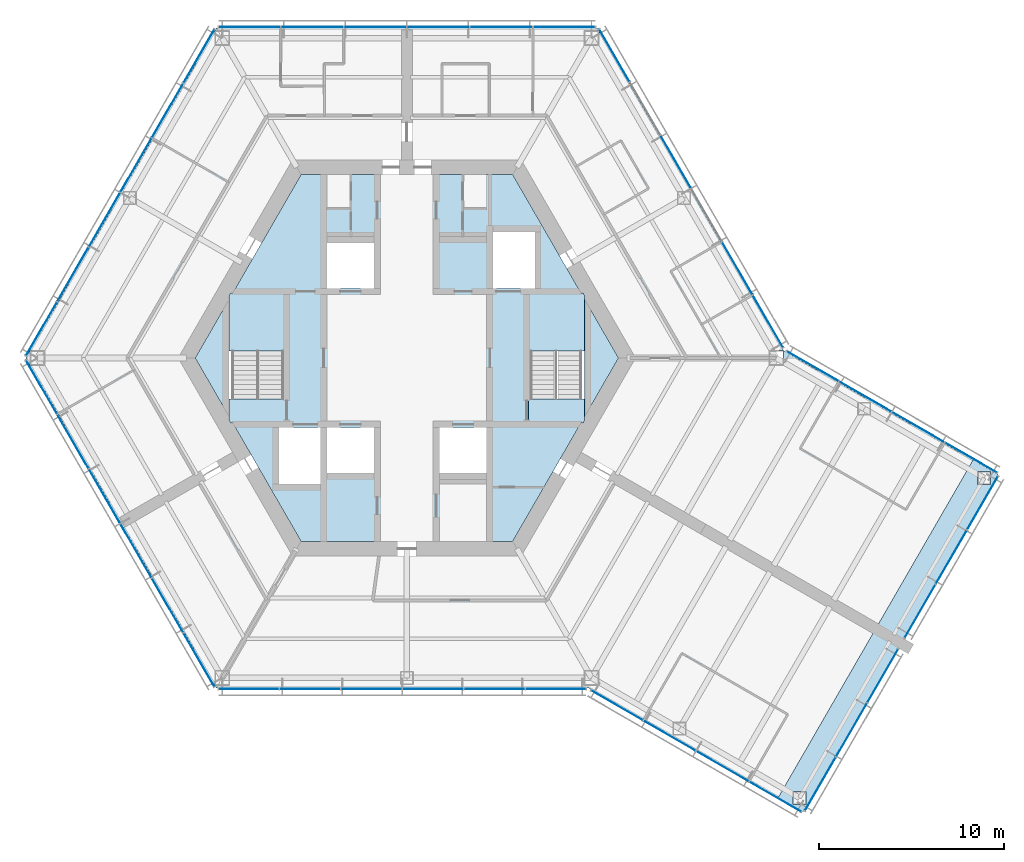
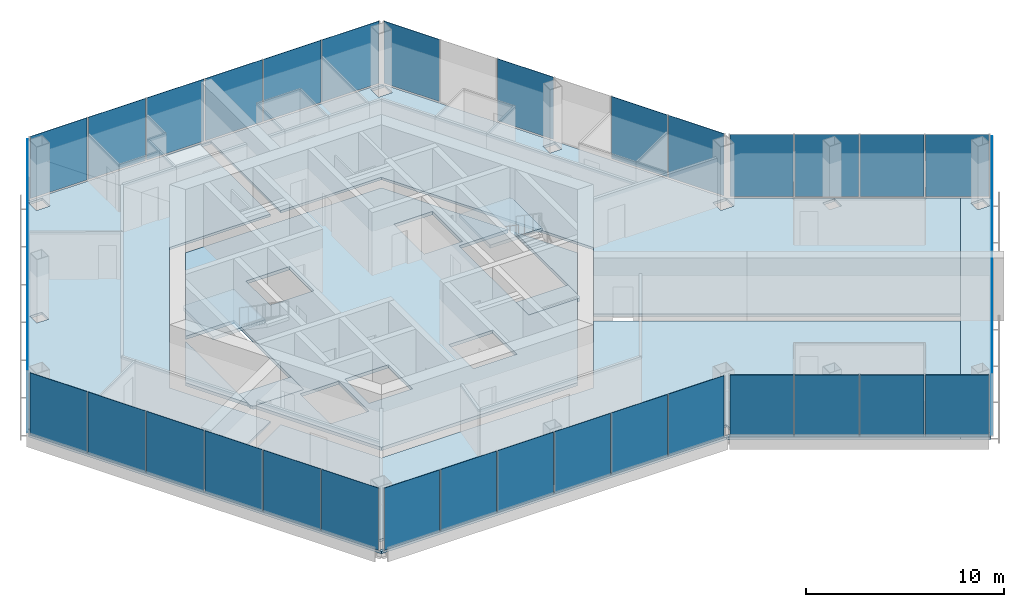
# One storey, part 8 of 15: 42 plates, 9 slabs, 11 elements without a shape of their own.
"""IFC4 building model written with IfcOpenShell, lengths in metres."""

from ifc_helpers import new_model, si_unit, direction, frame, origin, origin_2d, place, context, subcontext, project, spatial, polyline, rectangle, outline, extrude, material, layer, layer_set, type_object, element, aggregate, save


model = new_model("IFC4")

# Units and contexts
model_context = context("Model", 3, precision=1e-05, world=origin(), true_north=direction((0.0, 1.0)))
body_context = subcontext(model_context, "Body", "Model", "MODEL_VIEW")
ifc_project = project(units=[si_unit("LENGTHUNIT", "METRE"), si_unit("AREAUNIT", "SQUARE_METRE"), si_unit("VOLUMEUNIT", "CUBIC_METRE"), si_unit("PLANEANGLEUNIT", "RADIAN"), si_unit("MASSUNIT", "GRAM", prefix="KILO")], contexts=[model_context])

# Site, building, storey
site_placement = place(None, origin())
site = spatial("IfcSite", under=ifc_project, at=site_placement, CompositionType="ELEMENT")
building_placement = place(site_placement, origin())
building = spatial("IfcBuilding", under=site, at=building_placement, Name="Kasaneha Research Tower", CompositionType="ELEMENT")
storey_placement = place(building_placement, frame((0.0, 0.0, 220.60009765625)))
storey = spatial("IfcBuildingStorey", under=building, at=storey_placement, Name="L55", CompositionType="ELEMENT", Elevation=220.60009765625)

# Curtain wall, plates
ifc_material_1 = material(Name="Glass and aluminium", Category="aluminium")
curtain_wall_type = type_object("IfcCurtainWallType", Name="High-rise office curtain wall", PredefinedType="USERDEFINED", material=ifc_material_1)
curtain_wall_1_placement = place(storey_placement, origin())
curtain_wall_1 = element("IfcCurtainWall", 1, at=curtain_wall_1_placement, inside=storey, type_object=curtain_wall_type, Name="CW-O3 L55 run 01a", ObjectType="UNITISED CURTAIN WALL", PredefinedType="USERDEFINED")
ifc_material_2 = material(Name="Laminated double glazing", Category="glass")
ifc_layer_1 = layer(ifc_material_2, 0.02392578125)
ifc_layer_set_1 = layer_set([ifc_layer_1], Name="CW-O3 glazed panel")
plate_type = type_object("IfcPlateType", Name="CW-O3 glazed panel", PredefinedType="CURTAIN_PANEL", material=ifc_layer_set_1)
plate_1_placement = place(storey_placement, frame((19.549072265625, 1.981201171875, 0.06005859375), z_axis=(0.0, 0.0, 1.0), x_axis=(-0.499999979232, 0.866025415775, 0.0)))
plate_1 = element("IfcPlate", 2, at=plate_1_placement, type_object=plate_type, Name="CW-O3 panel 1", PredefinedType="CURTAIN_PANEL", context=body_context, shape_type="SweptSolid", body=[
    extrude(rectangle(XDim=3.240966796875, YDim=0.02392578125, at=origin_2d()), origin(), (0.0, 0.0, 1.0), 3.840087890625),
])
plate_2_placement = place(storey_placement, frame((17.89111328125, 4.852783203125, 0.06005859375), z_axis=(0.0, 0.0, 1.0), x_axis=(-0.499999979232, 0.866025415775, 0.0)))
plate_2 = element("IfcPlate", 3, at=plate_2_placement, type_object=plate_type, Name="CW-O3 panel 2", PredefinedType="CURTAIN_PANEL", context=body_context, shape_type="SweptSolid", body=[
    extrude(rectangle(XDim=3.27099609375, YDim=0.02392578125, at=origin_2d()), origin(), (0.0, 0.0, 1.0), 3.840087890625),
])
plate_3_placement = place(storey_placement, frame((14.56005859375, 10.622314453125, 0.06005859375), z_axis=(0.0, 0.0, 1.0), x_axis=(-0.499999979232, 0.866025415775, 0.0)))
plate_3 = element("IfcPlate", 4, at=plate_3_placement, type_object=plate_type, Name="CW-O3 panel 4", PredefinedType="CURTAIN_PANEL", context=body_context, shape_type="SweptSolid", body=[
    extrude(rectangle(XDim=3.27099609375, YDim=0.02392578125, at=origin_2d()), origin(), (0.0, 0.0, 1.0), 3.840087890625),
])
plate_4_placement = place(storey_placement, frame((11.236572265625, 16.378662109375, 0.06005859375), z_axis=(0.0, 0.0, 1.0), x_axis=(-0.499999979232, 0.866025415775, 0.0)))
plate_4 = element("IfcPlate", 5, at=plate_4_placement, type_object=plate_type, Name="CW-O3 panel 6", PredefinedType="CURTAIN_PANEL", context=body_context, shape_type="SweptSolid", body=[
    extrude(rectangle(XDim=3.240966796875, YDim=0.02392578125, at=origin_2d()), origin(), (0.0, 0.0, 1.0), 3.840087890625),
])
aggregate(curtain_wall_1, [plate_1, plate_2, plate_3, plate_4])

curtain_wall_2_placement = place(storey_placement, origin())
curtain_wall_2 = element("IfcCurtainWall", 6, at=curtain_wall_2_placement, inside=storey, type_object=curtain_wall_type, Name="CW-O3 L55 run 02a", ObjectType="UNITISED CURTAIN WALL", PredefinedType="USERDEFINED")
plate_5_placement = place(storey_placement, frame((8.523681640625, 17.92041015625, 0.06005859375), z_axis=(0.0, 0.0, 1.0), x_axis=(-1.0, 0.0, 0.0)))
plate_5 = element("IfcPlate", 7, at=plate_5_placement, type_object=plate_type, Name="CW-O3 panel 1", PredefinedType="CURTAIN_PANEL", context=body_context, shape_type="SweptSolid", body=[
    extrude(rectangle(XDim=3.325439453125, YDim=0.02392578125, at=origin_2d()), origin(), (0.0, 0.0, 1.0), 3.840087890625),
])
plate_6_placement = place(storey_placement, frame((5.123291015625, 17.92041015625, 0.06005859375), z_axis=(0.0, 0.0, 1.0), x_axis=(-1.0, 0.0, 0.0)))
plate_6 = element("IfcPlate", 8, at=plate_6_placement, type_object=plate_type, Name="CW-O3 panel 2", PredefinedType="CURTAIN_PANEL", context=body_context, shape_type="SweptSolid", body=[
    extrude(rectangle(XDim=3.35546875, YDim=0.02392578125, at=origin_2d()), origin(), (0.0, 0.0, 1.0), 3.840087890625),
])
plate_7_placement = place(storey_placement, frame((1.707763671875, 17.92041015625, 0.06005859375), z_axis=(0.0, 0.0, 1.0), x_axis=(-1.0, 0.0, 0.0)))
plate_7 = element("IfcPlate", 9, at=plate_7_placement, type_object=plate_type, Name="CW-O3 panel 3", PredefinedType="CURTAIN_PANEL", context=body_context, shape_type="SweptSolid", body=[
    extrude(rectangle(XDim=3.35546875, YDim=0.02392578125, at=origin_2d()), origin(), (0.0, 0.0, 1.0), 3.840087890625),
])
plate_8_placement = place(storey_placement, frame((-1.707763671875, 17.92041015625, 0.06005859375), z_axis=(0.0, 0.0, 1.0), x_axis=(-1.0, 0.0, 0.0)))
plate_8 = element("IfcPlate", 10, at=plate_8_placement, type_object=plate_type, Name="CW-O3 panel 4", PredefinedType="CURTAIN_PANEL", context=body_context, shape_type="SweptSolid", body=[
    extrude(rectangle(XDim=3.35546875, YDim=0.02392578125, at=origin_2d()), origin(), (0.0, 0.0, 1.0), 3.840087890625),
])
plate_9_placement = place(storey_placement, frame((-5.123291015625, 17.92041015625, 0.06005859375), z_axis=(0.0, 0.0, 1.0), x_axis=(-1.0, 0.0, 0.0)))
plate_9 = element("IfcPlate", 11, at=plate_9_placement, type_object=plate_type, Name="CW-O3 panel 5", PredefinedType="CURTAIN_PANEL", context=body_context, shape_type="SweptSolid", body=[
    extrude(rectangle(XDim=3.35546875, YDim=0.02392578125, at=origin_2d()), origin(), (0.0, 0.0, 1.0), 3.840087890625),
])
plate_10_placement = place(storey_placement, frame((-8.523681640625, 17.92041015625, 0.06005859375), z_axis=(0.0, 0.0, 1.0), x_axis=(-1.0, 0.0, 0.0)))
plate_10 = element("IfcPlate", 12, at=plate_10_placement, type_object=plate_type, Name="CW-O3 panel 6", PredefinedType="CURTAIN_PANEL", context=body_context, shape_type="SweptSolid", body=[
    extrude(rectangle(XDim=3.325439453125, YDim=0.02392578125, at=origin_2d()), origin(), (0.0, 0.0, 1.0), 3.840087890625),
])
aggregate(curtain_wall_2, [plate_5, plate_6, plate_7, plate_8, plate_9, plate_10])

curtain_wall_3_placement = place(storey_placement, origin())
curtain_wall_3 = element("IfcCurtainWall", 13, at=curtain_wall_3_placement, inside=storey, type_object=curtain_wall_type, Name="CW-O3 L55 run 03a", ObjectType="UNITISED CURTAIN WALL", PredefinedType="USERDEFINED")
plate_11_placement = place(storey_placement, frame((-11.2578125, 16.342041015625, 0.06005859375), z_axis=(0.0, 0.0, 1.0), x_axis=(-0.499999995722, -0.866025406254, 0.0)))
plate_11 = element("IfcPlate", 14, at=plate_11_placement, type_object=plate_type, Name="CW-O3 panel 1", PredefinedType="CURTAIN_PANEL", context=body_context, shape_type="SweptSolid", body=[
    extrude(rectangle(XDim=3.325439453125, YDim=0.02392578125, at=origin_2d()), origin(), (0.0, 0.0, 1.0), 3.840087890625),
])
plate_12_placement = place(storey_placement, frame((-12.9580078125, 13.39697265625, 0.06005859375), z_axis=(0.0, 0.0, 1.0), x_axis=(-0.499999995722, -0.866025406254, 0.0)))
plate_12 = element("IfcPlate", 15, at=plate_12_placement, type_object=plate_type, Name="CW-O3 panel 2", PredefinedType="CURTAIN_PANEL", context=body_context, shape_type="SweptSolid", body=[
    extrude(rectangle(XDim=3.35546875, YDim=0.02392578125, at=origin_2d()), origin(), (0.0, 0.0, 1.0), 3.840087890625),
])
plate_13_placement = place(storey_placement, frame((-14.665771484375, 10.439208984375, 0.06005859375), z_axis=(0.0, 0.0, 1.0), x_axis=(-0.499999995722, -0.866025406254, 0.0)))
plate_13 = element("IfcPlate", 16, at=plate_13_placement, type_object=plate_type, Name="CW-O3 panel 3", PredefinedType="CURTAIN_PANEL", context=body_context, shape_type="SweptSolid", body=[
    extrude(rectangle(XDim=3.35546875, YDim=0.02392578125, at=origin_2d()), origin(), (0.0, 0.0, 1.0), 3.840087890625),
])
plate_14_placement = place(storey_placement, frame((-16.37353515625, 7.481201171875, 0.06005859375), z_axis=(0.0, 0.0, 1.0), x_axis=(-0.499999995722, -0.866025406254, 0.0)))
plate_14 = element("IfcPlate", 17, at=plate_14_placement, type_object=plate_type, Name="CW-O3 panel 4", PredefinedType="CURTAIN_PANEL", context=body_context, shape_type="SweptSolid", body=[
    extrude(rectangle(XDim=3.35546875, YDim=0.02392578125, at=origin_2d()), origin(), (0.0, 0.0, 1.0), 3.840087890625),
])
plate_15_placement = place(storey_placement, frame((-18.081298828125, 4.5234375, 0.06005859375), z_axis=(0.0, 0.0, 1.0), x_axis=(-0.499999995722, -0.866025406254, 0.0)))
plate_15 = element("IfcPlate", 18, at=plate_15_placement, type_object=plate_type, Name="CW-O3 panel 5", PredefinedType="CURTAIN_PANEL", context=body_context, shape_type="SweptSolid", body=[
    extrude(rectangle(XDim=3.35546875, YDim=0.02392578125, at=origin_2d()), origin(), (0.0, 0.0, 1.0), 3.840087890625),
])
plate_16_placement = place(storey_placement, frame((-19.781494140625, 1.57861328125, 0.06005859375), z_axis=(0.0, 0.0, 1.0), x_axis=(-0.499999995722, -0.866025406254, 0.0)))
plate_16 = element("IfcPlate", 19, at=plate_16_placement, type_object=plate_type, Name="CW-O3 panel 6", PredefinedType="CURTAIN_PANEL", context=body_context, shape_type="SweptSolid", body=[
    extrude(rectangle(XDim=3.325439453125, YDim=0.02392578125, at=origin_2d()), origin(), (0.0, 0.0, 1.0), 3.840087890625),
])
aggregate(curtain_wall_3, [plate_11, plate_12, plate_13, plate_14, plate_15, plate_16])

curtain_wall_4_placement = place(storey_placement, origin())
curtain_wall_4 = element("IfcCurtainWall", 20, at=curtain_wall_4_placement, inside=storey, type_object=curtain_wall_type, Name="CW-O3 L55 run 04a", ObjectType="UNITISED CURTAIN WALL", PredefinedType="USERDEFINED")
plate_17_placement = place(storey_placement, frame((-19.781494140625, -1.57861328125, 0.06005859375), z_axis=(0.0, 0.0, 1.0), x_axis=(0.499999995722, -0.866025406254, 0.0)))
plate_17 = element("IfcPlate", 21, at=plate_17_placement, type_object=plate_type, Name="CW-O3 panel 1", PredefinedType="CURTAIN_PANEL", context=body_context, shape_type="SweptSolid", body=[
    extrude(rectangle(XDim=3.325439453125, YDim=0.02392578125, at=origin_2d()), origin(), (0.0, 0.0, 1.0), 3.840087890625),
])
plate_18_placement = place(storey_placement, frame((-18.081298828125, -4.5234375, 0.06005859375), z_axis=(0.0, 0.0, 1.0), x_axis=(0.499999995722, -0.866025406254, 0.0)))
plate_18 = element("IfcPlate", 22, at=plate_18_placement, type_object=plate_type, Name="CW-O3 panel 2", PredefinedType="CURTAIN_PANEL", context=body_context, shape_type="SweptSolid", body=[
    extrude(rectangle(XDim=3.35546875, YDim=0.02392578125, at=origin_2d()), origin(), (0.0, 0.0, 1.0), 3.840087890625),
])
plate_19_placement = place(storey_placement, frame((-16.37353515625, -7.481201171875, 0.06005859375), z_axis=(0.0, 0.0, 1.0), x_axis=(0.499999995722, -0.866025406254, 0.0)))
plate_19 = element("IfcPlate", 23, at=plate_19_placement, type_object=plate_type, Name="CW-O3 panel 3", PredefinedType="CURTAIN_PANEL", context=body_context, shape_type="SweptSolid", body=[
    extrude(rectangle(XDim=3.35546875, YDim=0.02392578125, at=origin_2d()), origin(), (0.0, 0.0, 1.0), 3.840087890625),
])
plate_20_placement = place(storey_placement, frame((-14.665771484375, -10.439208984375, 0.06005859375), z_axis=(0.0, 0.0, 1.0), x_axis=(0.499999995722, -0.866025406254, 0.0)))
plate_20 = element("IfcPlate", 24, at=plate_20_placement, type_object=plate_type, Name="CW-O3 panel 4", PredefinedType="CURTAIN_PANEL", context=body_context, shape_type="SweptSolid", body=[
    extrude(rectangle(XDim=3.35546875, YDim=0.02392578125, at=origin_2d()), origin(), (0.0, 0.0, 1.0), 3.840087890625),
])
plate_21_placement = place(storey_placement, frame((-12.9580078125, -13.39697265625, 0.06005859375), z_axis=(0.0, 0.0, 1.0), x_axis=(0.499999995722, -0.866025406254, 0.0)))
plate_21 = element("IfcPlate", 25, at=plate_21_placement, type_object=plate_type, Name="CW-O3 panel 5", PredefinedType="CURTAIN_PANEL", context=body_context, shape_type="SweptSolid", body=[
    extrude(rectangle(XDim=3.35546875, YDim=0.02392578125, at=origin_2d()), origin(), (0.0, 0.0, 1.0), 3.840087890625),
])
plate_22_placement = place(storey_placement, frame((-11.2578125, -16.342041015625, 0.06005859375), z_axis=(0.0, 0.0, 1.0), x_axis=(0.499999995722, -0.866025406254, 0.0)))
plate_22 = element("IfcPlate", 26, at=plate_22_placement, type_object=plate_type, Name="CW-O3 panel 6", PredefinedType="CURTAIN_PANEL", context=body_context, shape_type="SweptSolid", body=[
    extrude(rectangle(XDim=3.325439453125, YDim=0.02392578125, at=origin_2d()), origin(), (0.0, 0.0, 1.0), 3.840087890625),
])
aggregate(curtain_wall_4, [plate_17, plate_18, plate_19, plate_20, plate_21, plate_22])

curtain_wall_5_placement = place(storey_placement, origin())
curtain_wall_5 = element("IfcCurtainWall", 27, at=curtain_wall_5_placement, inside=storey, type_object=curtain_wall_type, Name="CW-O3 L55 run 05a", ObjectType="UNITISED CURTAIN WALL", PredefinedType="USERDEFINED")
plate_23_placement = place(storey_placement, frame((-8.56591796875, -17.92041015625, 0.06005859375), z_axis=(0.0, 0.0, 1.0), x_axis=(1.0, 0.0, 0.0)))
plate_23 = element("IfcPlate", 28, at=plate_23_placement, type_object=plate_type, Name="CW-O3 panel 1", PredefinedType="CURTAIN_PANEL", context=body_context, shape_type="SweptSolid", body=[
    extrude(rectangle(XDim=3.240966796875, YDim=0.02392578125, at=origin_2d()), origin(), (0.0, 0.0, 1.0), 3.840087890625),
])
plate_24_placement = place(storey_placement, frame((-5.25, -17.92041015625, 0.06005859375), z_axis=(0.0, 0.0, 1.0), x_axis=(1.0, 0.0, 0.0)))
plate_24 = element("IfcPlate", 29, at=plate_24_placement, type_object=plate_type, Name="CW-O3 panel 2", PredefinedType="CURTAIN_PANEL", context=body_context, shape_type="SweptSolid", body=[
    extrude(rectangle(XDim=3.27099609375, YDim=0.02392578125, at=origin_2d()), origin(), (0.0, 0.0, 1.0), 3.840087890625),
])
plate_25_placement = place(storey_placement, frame((-1.9189453125, -17.92041015625, 0.06005859375), z_axis=(0.0, 0.0, 1.0), x_axis=(1.0, 0.0, 0.0)))
plate_25 = element("IfcPlate", 30, at=plate_25_placement, type_object=plate_type, Name="CW-O3 panel 3", PredefinedType="CURTAIN_PANEL", context=body_context, shape_type="SweptSolid", body=[
    extrude(rectangle(XDim=3.27099609375, YDim=0.02392578125, at=origin_2d()), origin(), (0.0, 0.0, 1.0), 3.840087890625),
])
plate_26_placement = place(storey_placement, frame((1.411865234375, -17.92041015625, 0.06005859375), z_axis=(0.0, 0.0, 1.0), x_axis=(1.0, 0.0, 0.0)))
plate_26 = element("IfcPlate", 31, at=plate_26_placement, type_object=plate_type, Name="CW-O3 panel 4", PredefinedType="CURTAIN_PANEL", context=body_context, shape_type="SweptSolid", body=[
    extrude(rectangle(XDim=3.27099609375, YDim=0.02392578125, at=origin_2d()), origin(), (0.0, 0.0, 1.0), 3.840087890625),
])
plate_27_placement = place(storey_placement, frame((4.742919921875, -17.92041015625, 0.06005859375), z_axis=(0.0, 0.0, 1.0), x_axis=(1.0, 0.0, 0.0)))
plate_27 = element("IfcPlate", 32, at=plate_27_placement, type_object=plate_type, Name="CW-O3 panel 5", PredefinedType="CURTAIN_PANEL", context=body_context, shape_type="SweptSolid", body=[
    extrude(rectangle(XDim=3.27099609375, YDim=0.02392578125, at=origin_2d()), origin(), (0.0, 0.0, 1.0), 3.840087890625),
])
plate_28_placement = place(storey_placement, frame((8.058837890625, -17.92041015625, 0.06005859375), z_axis=(0.0, 0.0, 1.0), x_axis=(1.0, 0.0, 0.0)))
plate_28 = element("IfcPlate", 33, at=plate_28_placement, type_object=plate_type, Name="CW-O3 panel 6", PredefinedType="CURTAIN_PANEL", context=body_context, shape_type="SweptSolid", body=[
    extrude(rectangle(XDim=3.240966796875, YDim=0.02392578125, at=origin_2d()), origin(), (0.0, 0.0, 1.0), 3.840087890625),
])
aggregate(curtain_wall_5, [plate_23, plate_24, plate_25, plate_26, plate_27, plate_28])

curtain_wall_6_placement = place(storey_placement, origin())
curtain_wall_6 = element("IfcCurtainWall", 34, at=curtain_wall_6_placement, inside=storey, type_object=curtain_wall_type, Name="CW-O3 L55 run 06a", ObjectType="UNITISED CURTAIN WALL", PredefinedType="USERDEFINED")
plate_29_placement = place(storey_placement, frame((11.3720703125, -18.805419921875, 0.06005859375), z_axis=(0.0, 0.0, 1.0), x_axis=(0.866025411464, -0.499999986699, 0.0)))
plate_29 = element("IfcPlate", 35, at=plate_29_placement, type_object=plate_type, Name="CW-O3 panel 1", PredefinedType="CURTAIN_PANEL", context=body_context, shape_type="SweptSolid", body=[
    extrude(rectangle(XDim=3.2197265625, YDim=0.02392578125, at=origin_2d()), origin(), (0.0, 0.0, 1.0), 3.840087890625),
])
plate_30_placement = place(storey_placement, frame((14.225341796875, -20.452880859375, 0.06005859375), z_axis=(0.0, 0.0, 1.0), x_axis=(0.866025411464, -0.499999986699, 0.0)))
plate_30 = element("IfcPlate", 36, at=plate_30_placement, type_object=plate_type, Name="CW-O3 panel 2", PredefinedType="CURTAIN_PANEL", context=body_context, shape_type="SweptSolid", body=[
    extrude(rectangle(XDim=3.249755859375, YDim=0.02392578125, at=origin_2d()), origin(), (0.0, 0.0, 1.0), 3.840087890625),
])
plate_31_placement = place(storey_placement, frame((17.091796875, -22.107666015625, 0.06005859375), z_axis=(0.0, 0.0, 1.0), x_axis=(0.866025411464, -0.499999986699, 0.0)))
plate_31 = element("IfcPlate", 37, at=plate_31_placement, type_object=plate_type, Name="CW-O3 panel 3", PredefinedType="CURTAIN_PANEL", context=body_context, shape_type="SweptSolid", body=[
    extrude(rectangle(XDim=3.249755859375, YDim=0.02392578125, at=origin_2d()), origin(), (0.0, 0.0, 1.0), 3.840087890625),
])
plate_32_placement = place(storey_placement, frame((19.945068359375, -23.755126953125, 0.06005859375), z_axis=(0.0, 0.0, 1.0), x_axis=(0.866025411464, -0.499999986699, 0.0)))
plate_32 = element("IfcPlate", 38, at=plate_32_placement, type_object=plate_type, Name="CW-O3 panel 4", PredefinedType="CURTAIN_PANEL", context=body_context, shape_type="SweptSolid", body=[
    extrude(rectangle(XDim=3.2197265625, YDim=0.02392578125, at=origin_2d()), origin(), (0.0, 0.0, 1.0), 3.840087890625),
])
aggregate(curtain_wall_6, [plate_29, plate_30, plate_31, plate_32])

curtain_wall_7_placement = place(storey_placement, origin())
curtain_wall_7 = element("IfcCurtainWall", 39, at=curtain_wall_7_placement, inside=storey, type_object=curtain_wall_type, Name="CW-O3 L55 run 07a", ObjectType="UNITISED CURTAIN WALL", PredefinedType="USERDEFINED")
plate_33_placement = place(storey_placement, frame((22.385498046875, -23.068359375, 0.06005859375), z_axis=(0.0, 0.0, 1.0), x_axis=(0.500000011442, 0.866025397178, 0.0)))
plate_33 = element("IfcPlate", 40, at=plate_33_placement, type_object=plate_type, Name="CW-O3 panel 1", PredefinedType="CURTAIN_PANEL", context=body_context, shape_type="SweptSolid", body=[
    extrude(rectangle(XDim=3.31005859375, YDim=0.02392578125, at=origin_2d()), origin(), (0.0, 0.0, 1.0), 3.840087890625),
])
plate_34_placement = place(storey_placement, frame((24.077880859375, -20.13671875, 0.06005859375), z_axis=(0.0, 0.0, 1.0), x_axis=(0.500000011442, 0.866025397178, 0.0)))
plate_34 = element("IfcPlate", 41, at=plate_34_placement, type_object=plate_type, Name="CW-O3 panel 2", PredefinedType="CURTAIN_PANEL", context=body_context, shape_type="SweptSolid", body=[
    extrude(rectangle(XDim=3.340087890625, YDim=0.02392578125, at=origin_2d()), origin(), (0.0, 0.0, 1.0), 3.840087890625),
])
plate_35_placement = place(storey_placement, frame((25.7705078125, -17.205322265625, 0.06005859375), z_axis=(0.0, 0.0, 1.0), x_axis=(0.500000011442, 0.866025397178, 0.0)))
plate_35 = element("IfcPlate", 42, at=plate_35_placement, type_object=plate_type, Name="CW-O3 panel 3", PredefinedType="CURTAIN_PANEL", context=body_context, shape_type="SweptSolid", body=[
    extrude(rectangle(XDim=3.31005859375, YDim=0.02392578125, at=origin_2d()), origin(), (0.0, 0.0, 1.0), 3.840087890625),
])
aggregate(curtain_wall_7, [plate_33, plate_34, plate_35])

curtain_wall_8_placement = place(storey_placement, origin())
curtain_wall_8 = element("IfcCurtainWall", 43, at=curtain_wall_8_placement, inside=storey, type_object=curtain_wall_type, Name="CW-O3 L55 run 08a", ObjectType="UNITISED CURTAIN WALL", PredefinedType="USERDEFINED")
plate_36_placement = place(storey_placement, frame((27.785400390625, -13.71533203125, 0.06005859375), z_axis=(0.0, 0.0, 1.0), x_axis=(0.500000011442, 0.866025397178, 0.0)))
plate_36 = element("IfcPlate", 44, at=plate_36_placement, type_object=plate_type, Name="CW-O3 panel 1", PredefinedType="CURTAIN_PANEL", context=body_context, shape_type="SweptSolid", body=[
    extrude(rectangle(XDim=3.31005859375, YDim=0.02392578125, at=origin_2d()), origin(), (0.0, 0.0, 1.0), 3.840087890625),
])
plate_37_placement = place(storey_placement, frame((29.47802734375, -10.78369140625, 0.06005859375), z_axis=(0.0, 0.0, 1.0), x_axis=(0.500000011442, 0.866025397178, 0.0)))
plate_37 = element("IfcPlate", 45, at=plate_37_placement, type_object=plate_type, Name="CW-O3 panel 2", PredefinedType="CURTAIN_PANEL", context=body_context, shape_type="SweptSolid", body=[
    extrude(rectangle(XDim=3.340087890625, YDim=0.02392578125, at=origin_2d()), origin(), (0.0, 0.0, 1.0), 3.840087890625),
])
plate_38_placement = place(storey_placement, frame((31.17041015625, -7.852294921875, 0.06005859375), z_axis=(0.0, 0.0, 1.0), x_axis=(0.500000011442, 0.866025397178, 0.0)))
plate_38 = element("IfcPlate", 46, at=plate_38_placement, type_object=plate_type, Name="CW-O3 panel 3", PredefinedType="CURTAIN_PANEL", context=body_context, shape_type="SweptSolid", body=[
    extrude(rectangle(XDim=3.31005859375, YDim=0.02392578125, at=origin_2d()), origin(), (0.0, 0.0, 1.0), 3.840087890625),
])
aggregate(curtain_wall_8, [plate_36, plate_37, plate_38])

curtain_wall_9_placement = place(storey_placement, origin())
curtain_wall_9 = element("IfcCurtainWall", 47, at=curtain_wall_9_placement, inside=storey, type_object=curtain_wall_type, Name="CW-O3 L55 run 09a", ObjectType="UNITISED CURTAIN WALL", PredefinedType="USERDEFINED")
plate_39_placement = place(storey_placement, frame((30.545166015625, -5.3955078125, 0.06005859375), z_axis=(0.0, 0.0, 1.0), x_axis=(-0.866025411464, 0.499999986699, 0.0)))
plate_39 = element("IfcPlate", 48, at=plate_39_placement, type_object=plate_type, Name="CW-O3 panel 1", PredefinedType="CURTAIN_PANEL", context=body_context, shape_type="SweptSolid", body=[
    extrude(rectangle(XDim=3.2197265625, YDim=0.02392578125, at=origin_2d()), origin(), (0.0, 0.0, 1.0), 3.840087890625),
])
plate_40_placement = place(storey_placement, frame((27.69189453125, -3.748046875, 0.06005859375), z_axis=(0.0, 0.0, 1.0), x_axis=(-0.866025411464, 0.499999986699, 0.0)))
plate_40 = element("IfcPlate", 49, at=plate_40_placement, type_object=plate_type, Name="CW-O3 panel 2", PredefinedType="CURTAIN_PANEL", context=body_context, shape_type="SweptSolid", body=[
    extrude(rectangle(XDim=3.249755859375, YDim=0.02392578125, at=origin_2d()), origin(), (0.0, 0.0, 1.0), 3.840087890625),
])
plate_41_placement = place(storey_placement, frame((24.825439453125, -2.093017578125, 0.06005859375), z_axis=(0.0, 0.0, 1.0), x_axis=(-0.866025411464, 0.499999986699, 0.0)))
plate_41 = element("IfcPlate", 50, at=plate_41_placement, type_object=plate_type, Name="CW-O3 panel 3", PredefinedType="CURTAIN_PANEL", context=body_context, shape_type="SweptSolid", body=[
    extrude(rectangle(XDim=3.249755859375, YDim=0.02392578125, at=origin_2d()), origin(), (0.0, 0.0, 1.0), 3.840087890625),
])
plate_42_placement = place(storey_placement, frame((21.971923828125, -0.44580078125, 0.06005859375), z_axis=(0.0, 0.0, 1.0), x_axis=(-0.866025411464, 0.499999986699, 0.0)))
plate_42 = element("IfcPlate", 51, at=plate_42_placement, type_object=plate_type, Name="CW-O3 panel 4", PredefinedType="CURTAIN_PANEL", context=body_context, shape_type="SweptSolid", body=[
    extrude(rectangle(XDim=3.2197265625, YDim=0.02392578125, at=origin_2d()), origin(), (0.0, 0.0, 1.0), 3.840087890625),
])
aggregate(curtain_wall_9, [plate_39, plate_40, plate_41, plate_42])

# Slabs
ifc_material_3 = material(Name="Concrete Fc24", Category="concrete")
ifc_layer_2 = layer(ifc_material_3, 0.199951171875)
ifc_layer_set_2 = layer_set([ifc_layer_2], Name="Core floor slab 200")
slab_type_1 = type_object("IfcSlabType", Name="Core floor slab 200", PredefinedType="FLOOR", material=ifc_layer_set_2)
slab_1_placement = place(storey_placement, frame((0.0, 0.0, -0.2001953125)))
element("IfcSlab", 52, at=slab_1_placement, inside=storey, type_object=slab_type_1, Name="Core slab L55", PredefinedType="FLOOR", context=body_context, shape_type="SweptSolid", body=[
    extrude(outline(polyline([(-11.46044921875, 0.0), (-9.625, 3.178955078125), (-9.625, -3.178955078125), (-11.46044921875, 0.0)])), origin(), (0.0, 0.0, 1.0), 0.2001953125),
])
slab_2_placement = place(storey_placement, frame((0.0, 0.0, -0.2001953125)))
element("IfcSlab", 53, at=slab_2_placement, inside=storey, type_object=slab_type_1, Name="Core slab L55", PredefinedType="FLOOR", context=body_context, shape_type="SweptSolid", body=[
    extrude(outline(polyline([(-5.730224609375, 9.925048828125), (5.730224609375, 9.925048828125), (9.42529296875, 3.52490234375), (6.574951171875, 3.52490234375), (6.574951171875, -3.52490234375), (9.42529296875, -3.52490234375), (5.730224609375, -9.925048828125), (-5.730224609375, -9.925048828125), (-9.42529296875, -3.52490234375), (-6.574951171875, -3.52490234375), (-6.574951171875, 3.52490234375), (-9.42529296875, 3.52490234375), (-5.730224609375, 9.925048828125)]), holes=[polyline([(-6.925048828125, -6.824951171875), (-4.675048828125, -6.824951171875), (-4.675048828125, -3.77490234375), (-6.925048828125, -3.77490234375), (-6.925048828125, -6.824951171875)]), polyline([(-4.324951171875, -3.77490234375), (-4.324951171875, -6.22509765625), (-1.77490234375, -6.22509765625), (-1.77490234375, -3.77490234375), (-4.324951171875, -3.77490234375)]), polyline([(1.77490234375, -3.77490234375), (1.77490234375, -6.22509765625), (4.324951171875, -6.22509765625), (4.324951171875, -3.77490234375), (1.77490234375, -3.77490234375)]), polyline([(-4.324951171875, 6.22509765625), (-4.324951171875, 3.77490234375), (-1.77490234375, 3.77490234375), (-1.77490234375, 6.22509765625), (-4.324951171875, 6.22509765625)]), polyline([(4.675048828125, 6.824951171875), (4.675048828125, 3.77490234375), (6.925048828125, 3.77490234375), (6.925048828125, 6.824951171875), (4.675048828125, 6.824951171875)])]), origin(), (0.0, 0.0, 1.0), 0.2001953125),
])
slab_3_placement = place(storey_placement, frame((0.0, 0.0, -0.2001953125)))
element("IfcSlab", 54, at=slab_3_placement, inside=storey, type_object=slab_type_1, Name="Core slab L55", PredefinedType="FLOOR", context=body_context, shape_type="SweptSolid", body=[
    extrude(outline(polyline([(11.46044921875, 0.0), (9.625, -3.178955078125), (9.625, 3.178955078125), (11.46044921875, 0.0)])), origin(), (0.0, 0.0, 1.0), 0.2001953125),
])
ifc_material_4 = material(Name="Concrete Fc24", Category="concrete")
ifc_layer_3 = layer(ifc_material_4, 0.14990234375)
ifc_layer_set_3 = layer_set([ifc_layer_3], Name="Floor slab 150")
slab_type_2 = type_object("IfcSlabType", Name="Floor slab 150", PredefinedType="FLOOR", material=ifc_layer_set_3)
slab_4_placement = place(storey_placement, frame((0.0, 0.0, -0.150146484375)))
element("IfcSlab", 55, at=slab_4_placement, inside=storey, type_object=slab_type_2, Name="Floor slab L55 1", PredefinedType="FLOOR", context=body_context, shape_type="SweptSolid", body=[
    extrude(outline(polyline([(-10.317626953125, -17.87060546875), (-10.3974609375, -17.732177734375), (-10.385986328125, -17.720703125), (-9.599853515625, -17.720703125), (-9.599853515625, -16.92041015625), (-10.400146484375, -16.92041015625), (-10.400146484375, -17.70654296875), (-10.40771484375, -17.714111328125), (-20.635009765625, 0.0), (-20.40771484375, 0.3935546875), (-20.400146484375, 0.385986328125), (-20.400146484375, -0.400146484375), (-19.599853515625, -0.400146484375), (-19.599853515625, 0.400146484375), (-20.385986328125, 0.400146484375), (-20.3974609375, 0.41162109375), (-10.40771484375, 17.714111328125), (-10.400146484375, 17.70654296875), (-10.400146484375, 16.92041015625), (-9.599853515625, 16.92041015625), (-9.599853515625, 17.720703125), (-10.385986328125, 17.720703125), (-10.3974609375, 17.732177734375), (-10.317626953125, 17.87060546875), (10.317626953125, 17.87060546875), (10.3974609375, 17.732177734375), (10.385986328125, 17.720703125), (9.599853515625, 17.720703125), (9.599853515625, 16.92041015625), (10.400146484375, 16.92041015625), (10.400146484375, 17.70654296875), (10.40771484375, 17.714111328125), (20.3974609375, 0.41162109375), (20.385986328125, 0.400146484375), (19.599853515625, 0.400146484375), (19.599853515625, -0.400146484375), (20.400146484375, -0.400146484375), (20.400146484375, 0.385986328125), (20.41162109375, 0.3974609375), (30.65869140625, -5.518798828125), (25.53369140625, -14.3955078125), (9.438232421875, -5.102783203125), (12.38427734375, 0.0), (6.192138671875, 10.72509765625), (0.300048828125, 10.72509765625), (0.300048828125, 17.7705078125), (-0.300048828125, 17.7705078125), (-0.300048828125, 10.72509765625), (-6.192138671875, 10.72509765625), (-12.38427734375, 0.0), (-9.438232421875, -5.102783203125), (-15.539794921875, -8.62548828125), (-15.23974609375, -9.14501953125), (-9.13818359375, -5.622314453125), (-6.192138671875, -10.72509765625), (6.192138671875, -10.72509765625), (9.13818359375, -5.622314453125), (25.233642578125, -14.9150390625), (20.108642578125, -23.791748046875), (9.8525390625, -17.87060546875), (-10.317626953125, -17.87060546875)]), holes=[polyline([(-0.35009765625, -17.67041015625), (0.35009765625, -17.67041015625), (0.35009765625, -16.970458984375), (-0.35009765625, -16.970458984375), (-0.35009765625, -17.67041015625)]), polyline([(-15.35009765625, 8.310302734375), (-14.64990234375, 8.310302734375), (-14.64990234375, 9.01025390625), (-15.35009765625, 9.01025390625), (-15.35009765625, 8.310302734375)]), polyline([(14.4130859375, -20.42041015625), (15.113037109375, -20.42041015625), (15.113037109375, -19.720458984375), (14.4130859375, -19.720458984375), (14.4130859375, -20.42041015625)]), polyline([(9.60009765625, -17.720458984375), (10.39990234375, -17.720458984375), (10.39990234375, -16.92041015625), (9.60009765625, -16.92041015625), (9.60009765625, -17.720458984375)]), polyline([(24.4130859375, -3.10009765625), (25.113037109375, -3.10009765625), (25.113037109375, -2.39990234375), (24.4130859375, -2.39990234375), (24.4130859375, -3.10009765625)]), polyline([(14.64990234375, 9.01025390625), (14.64990234375, 8.310302734375), (15.35009765625, 8.310302734375), (15.35009765625, 9.01025390625), (14.64990234375, 9.01025390625)])]), origin(), (0.0, 0.0, 1.0), 0.150146484375),
])
slab_5_placement = place(storey_placement, frame((0.0, 0.0, -0.150146484375)))
element("IfcSlab", 56, at=slab_5_placement, inside=storey, type_object=slab_type_2, Name="Floor slab L55 2", PredefinedType="FLOOR", context=body_context, shape_type="SweptSolid", body=[
    extrude(outline(polyline([(32.009521484375, -6.298583984375), (21.459716796875, -24.57177734375), (20.108642578125, -23.791748046875), (25.233642578125, -14.9150390625), (25.2421875, -14.920166015625), (25.542236328125, -14.400390625), (25.53369140625, -14.3955078125), (30.65869140625, -5.518798828125), (32.009521484375, -6.298583984375)]), holes=[polyline([(20.908447265625, -24.17041015625), (21.6083984375, -24.17041015625), (21.6083984375, -23.470458984375), (20.908447265625, -23.470458984375), (20.908447265625, -24.17041015625)]), polyline([(30.908447265625, -6.85009765625), (31.6083984375, -6.85009765625), (31.6083984375, -6.14990234375), (30.908447265625, -6.14990234375), (30.908447265625, -6.85009765625)])]), origin(), (0.0, 0.0, 1.0), 0.150146484375),
])

# Stair, slabs
ifc_material_5 = material(Name="Concrete Fc24", Category="concrete")
stair_type = type_object("IfcStairType", Name="Half-turn stair 22 risers", PredefinedType="HALF_TURN_STAIR", material=ifc_material_5)
stair_1_placement = place(storey_placement, origin())
stair_1 = element("IfcStair", 57, at=stair_1_placement, inside=storey, type_object=stair_type, Name="Stair 1 L55", PredefinedType="HALF_TURN_STAIR")
ifc_material_6 = material(Name="Concrete Fc24", Category="concrete")
ifc_layer_4 = layer(ifc_material_6, 0.199951171875)
ifc_layer_set_4 = layer_set([ifc_layer_4], Name="Stair 1 landing 200")
slab_type_3 = type_object("IfcSlabType", Name="Stair 1 landing 200", PredefinedType="LANDING", material=ifc_layer_set_4)
slab_6_placement = place(storey_placement, frame((0.0, 0.0, -0.2001953125)))
slab_6 = element("IfcSlab", 58, at=slab_6_placement, type_object=slab_type_3, Name="ST1-22R landing 1", PredefinedType="LANDING", context=body_context, shape_type="SweptSolid", body=[
    extrude(outline(polyline([(9.540771484375, -3.52490234375), (6.574951171875, -3.52490234375), (6.574951171875, -2.22509765625), (9.625, -2.22509765625), (9.625, -3.37890625), (9.540771484375, -3.52490234375)])), origin(), (0.0, 0.0, 1.0), 0.2001953125),
])
slab_7_placement = place(storey_placement, frame((0.0, 0.0, 1.75)))
slab_7 = element("IfcSlab", 59, at=slab_7_placement, type_object=slab_type_3, Name="ST1-22R landing 2", PredefinedType="LANDING", context=body_context, shape_type="SweptSolid", body=[
    extrude(outline(polyline([(6.574951171875, 3.52490234375), (9.540771484375, 3.52490234375), (9.625, 3.37890625), (9.625, 0.375), (6.574951171875, 0.375), (6.574951171875, 3.52490234375)])), origin(), (0.0, 0.0, 1.0), 0.199951171875),
])
aggregate(stair_1, [slab_6, slab_7])

stair_2_placement = place(storey_placement, origin())
stair_2 = element("IfcStair", 60, at=stair_2_placement, inside=storey, type_object=stair_type, Name="Stair 2 L55", PredefinedType="HALF_TURN_STAIR")
ifc_material_7 = material(Name="Concrete Fc24", Category="concrete")
ifc_layer_5 = layer(ifc_material_7, 0.199951171875)
ifc_layer_set_5 = layer_set([ifc_layer_5], Name="Stair 2 landing 200")
slab_type_4 = type_object("IfcSlabType", Name="Stair 2 landing 200", PredefinedType="LANDING", material=ifc_layer_set_5)
slab_8_placement = place(storey_placement, frame((0.0, 0.0, -0.2001953125)))
slab_8 = element("IfcSlab", 61, at=slab_8_placement, type_object=slab_type_4, Name="ST2-22R landing 1", PredefinedType="LANDING", context=body_context, shape_type="SweptSolid", body=[
    extrude(outline(polyline([(-6.574951171875, -3.52490234375), (-9.540771484375, -3.52490234375), (-9.625, -3.37890625), (-9.625, -2.22509765625), (-6.574951171875, -2.22509765625), (-6.574951171875, -3.52490234375)])), origin(), (0.0, 0.0, 1.0), 0.2001953125),
])
slab_9_placement = place(storey_placement, frame((0.0, 0.0, 1.75)))
slab_9 = element("IfcSlab", 62, at=slab_9_placement, type_object=slab_type_4, Name="ST2-22R landing 2", PredefinedType="LANDING", context=body_context, shape_type="SweptSolid", body=[
    extrude(outline(polyline([(-6.574951171875, 0.375), (-9.625, 0.375), (-9.625, 3.37890625), (-9.540771484375, 3.52490234375), (-6.574951171875, 3.52490234375), (-6.574951171875, 0.375)])), origin(), (0.0, 0.0, 1.0), 0.199951171875),
])
aggregate(stair_2, [slab_8, slab_9])

save(model, "model.ifc")
